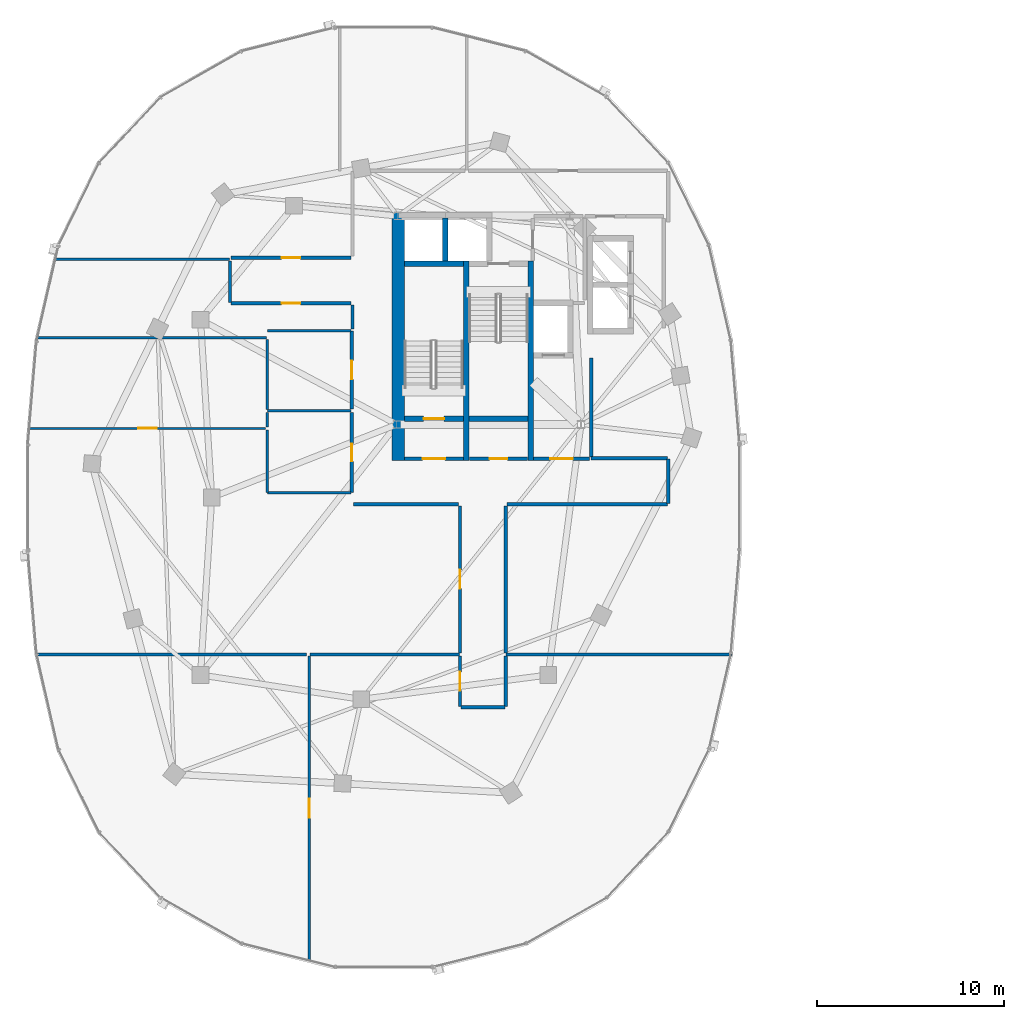
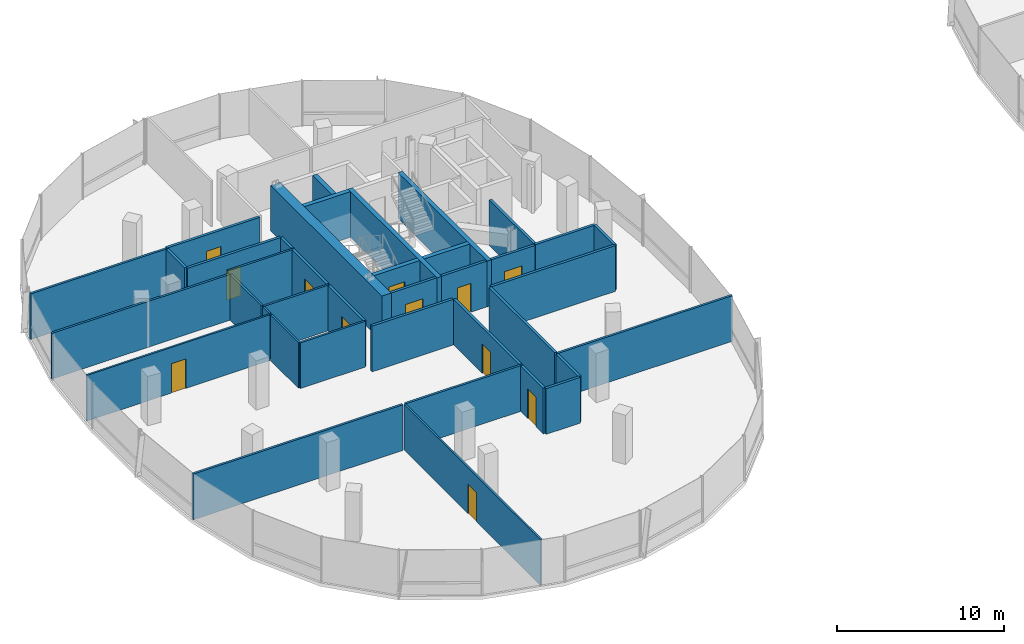
# One storey, part 15 of 25: 39 walls, 12 doors, 12 openings.
"""IFC4 building model written with IfcOpenShell, lengths in metres."""

from ifc_helpers import new_model, si_unit, direction, frame, frame_2d, origin, place, context, subcontext, project, spatial, rectangle, extrude, material, layer, layer_set, type_object, element, fill, save


model = new_model("IFC4")

# Units and contexts
model_context = context("Model", 3, precision=1e-05, world=origin(), true_north=direction((0.0, 1.0)))
body_context = subcontext(model_context, "Body", "Model", "MODEL_VIEW")
ifc_project = project(units=[si_unit("LENGTHUNIT", "METRE"), si_unit("AREAUNIT", "SQUARE_METRE"), si_unit("VOLUMEUNIT", "CUBIC_METRE"), si_unit("PLANEANGLEUNIT", "RADIAN"), si_unit("MASSUNIT", "GRAM", prefix="KILO"), si_unit("THERMODYNAMICTEMPERATUREUNIT", "KELVIN"), si_unit("POWERUNIT", "WATT")], contexts=[model_context])

# Site, building, storey
site_placement = place(None, origin())
site = spatial("IfcSite", under=ifc_project, at=site_placement, CompositionType="ELEMENT")
building_placement = place(site_placement, origin())
building = spatial("IfcBuilding", under=site, at=building_placement, Name="Cundina Bronze Exchange", CompositionType="ELEMENT")
storey_placement = place(building_placement, frame((0.0, 0.0, 206.199951171875)))
storey = spatial("IfcBuildingStorey", under=building, at=storey_placement, Name="L54", CompositionType="ELEMENT", Elevation=206.199951171875)

# Wall
ifc_material_1 = material(Name="Gypsum Fireboard Partition EI120")
ifc_layer_1 = layer(ifc_material_1, 0.179931640625, Name="Gypsum Fireboard Partition EI120")
ifc_layer_set_1 = layer_set([ifc_layer_1], Name="Gypsum Fireboard Partition EI120")
wall_type_1 = type_object("IfcWallType", Name="WL-COR-180", PredefinedType="PARTITIONING", material=ifc_layer_set_1)
wall_1_placement = place(storey_placement, frame((-20.889892578125, 2.14990234375, 0.0), z_axis=(0.0, 0.0, 1.0), x_axis=(0.0, 1.0, 0.0)))
element("IfcWall", 1, at=wall_1_placement, inside=storey, type_object=wall_type_1, Name="L54 W Firefighting Lobby Side Wall", PredefinedType="PARTITIONING", context=body_context, shape_type="SweptSolid", body=[
    extrude(rectangle(XDim=5.300048828125, YDim=0.179931640625, at=frame_2d((2.64990234375, 0.0))), origin(), (0.0, 0.0, 1.0), 3.340087890625),
])

# Wall, opening, door
wall_2_placement = place(storey_placement, frame((-23.97998046875, 2.06005859375, 0.0), z_axis=(0.0, 0.0, 1.0), x_axis=(1.0, 0.0, 0.0)))
wall_2 = element("IfcWall", 2, at=wall_2_placement, inside=storey, type_object=wall_type_1, Name="L54 W Firefighting Lobby Exit Wall", PredefinedType="PARTITIONING", context=body_context, shape_type="SweptSolid", body=[
    extrude(rectangle(XDim=3.0, YDim=0.179931640625, at=frame_2d((1.5, 0.0))), origin(), (0.0, 0.0, 1.0), 3.340087890625),
])
opening_1_placement = place(wall_2_placement, frame((0.89990234375, 0.0, 0.0)))
opening_1 = element("IfcOpeningElement", 3, at=opening_1_placement, cuts=wall_2, Name="Opening DF-01", PredefinedType="OPENING", context=body_context, shape_type="SweptSolid", body=[
    extrude(rectangle(XDim=1.199951171875, YDim=2.14990234375, at=frame_2d((0.60009765625, 1.074951171875))), frame((0.0, 0.099853515625, 0.0), z_axis=(0.0, -1.0, 0.0), x_axis=(1.0, 0.0, 0.0)), (0.0, 0.0, 1.0), 0.199951171875),
])
ifc_material_2 = material(Name="Steel ASTM A36 Painted", Category="steel")
door_type_1 = type_object("IfcDoorType", Name="DR-FFL-1200", OperationType="NOTDEFINED", PredefinedType="DOOR", material=ifc_material_2)
door_1_placement = place(opening_1_placement, origin())
door_1 = element("IfcDoor", 4, at=door_1_placement, inside=storey, type_object=door_type_1, Name="L54 W Firefighting Lobby Door", OperationType="SINGLE_SWING_RIGHT", OverallHeight=2.14990234375, OverallWidth=1.199951171875, PredefinedType="DOOR", context=body_context, shape_type="SweptSolid", body=[
    extrude(rectangle(XDim=1.199951171875, YDim=2.14990234375, at=frame_2d((0.60009765625, 1.074951171875))), frame((0.0, 0.02490234375, 0.0), z_axis=(0.0, -1.0, 0.0), x_axis=(1.0, 0.0, 0.0)), (0.0, 0.0, 1.0), 0.050048828125),
])
fill(opening_1, door_1)

wall_3_placement = place(storey_placement, frame((-30.89990234375, 2.06005859375, 0.0), z_axis=(0.0, 0.0, 1.0), x_axis=(1.0, 0.0, 0.0)))
wall_3 = element("IfcWall", 5, at=wall_3_placement, inside=storey, type_object=wall_type_1, Name="L54 W Stair Vestibule Exit Wall", PredefinedType="PARTITIONING", context=body_context, shape_type="SweptSolid", body=[
    extrude(rectangle(XDim=3.159912109375, YDim=0.179931640625, at=frame_2d((1.580078125, 0.0))), origin(), (0.0, 0.0, 1.0), 3.340087890625),
])
opening_2_placement = place(wall_3_placement, frame((0.97998046875, 0.0, 0.0)))
opening_2 = element("IfcOpeningElement", 6, at=opening_2_placement, cuts=wall_3, Name="Opening DF-01", PredefinedType="OPENING", context=body_context, shape_type="SweptSolid", body=[
    extrude(rectangle(XDim=1.199951171875, YDim=2.14990234375, at=frame_2d((0.60009765625, 1.074951171875))), frame((0.0, 0.099853515625, 0.0), z_axis=(0.0, -1.0, 0.0), x_axis=(1.0, 0.0, 0.0)), (0.0, 0.0, 1.0), 0.199951171875),
])
door_2_placement = place(opening_2_placement, origin())
door_2 = element("IfcDoor", 7, at=door_2_placement, inside=storey, type_object=door_type_1, Name="L54 W Stair Vestibule Door", OperationType="SINGLE_SWING_LEFT", OverallHeight=2.14990234375, OverallWidth=1.199951171875, PredefinedType="DOOR", context=body_context, shape_type="SweptSolid", body=[
    extrude(rectangle(XDim=1.199951171875, YDim=2.14990234375, at=frame_2d((0.60009765625, 1.074951171875))), frame((0.0, 0.02490234375, 0.0), z_axis=(0.0, -1.0, 0.0), x_axis=(1.0, 0.0, 0.0)), (0.0, 0.0, 1.0), 0.050048828125),
])
fill(opening_2, door_2)

wall_4_placement = place(storey_placement, frame((-27.419921875, 2.070068359375, 0.0), z_axis=(0.0, 0.0, 1.0), x_axis=(1.0, 0.0, 0.0)))
wall_4 = element("IfcWall", 8, at=wall_4_placement, inside=storey, type_object=wall_type_1, Name="L54 Interior Partition 007", PredefinedType="PARTITIONING", context=body_context, shape_type="SweptSolid", body=[
    extrude(rectangle(XDim=3.119873046875, YDim=0.179931640625, at=frame_2d((1.56005859375, 0.0))), origin(), (0.0, 0.0, 1.0), 3.340087890625),
])
opening_3_placement = place(wall_4_placement, frame((1.0849609375, 0.0, 0.0)))
opening_3 = element("IfcOpeningElement", 9, at=opening_3_placement, cuts=wall_4, Name="Opening DW-01", PredefinedType="OPENING", context=body_context, shape_type="SweptSolid", body=[
    extrude(rectangle(XDim=0.949951171875, YDim=2.10009765625, at=frame_2d((0.47509765625, 1.050048828125))), frame((0.0, 0.099853515625, 0.0), z_axis=(0.0, -1.0, 0.0), x_axis=(1.0, 0.0, 0.0)), (0.0, 0.0, 1.0), 0.199951171875),
])
ifc_material_3 = material(Name="Solid Andean Oak Timber Grade A", Category="wood")
door_type_2 = type_object("IfcDoorType", Name="DR-WC-950", OperationType="NOTDEFINED", PredefinedType="DOOR", material=ifc_material_3)
door_3_placement = place(opening_3_placement, origin())
door_3 = element("IfcDoor", 10, at=door_3_placement, inside=storey, type_object=door_type_2, Name="L54 Interior Door 007", OperationType="SINGLE_SWING_LEFT", OverallHeight=2.10009765625, OverallWidth=0.949951171875, PredefinedType="DOOR", context=body_context, shape_type="SweptSolid", body=[
    extrude(rectangle(XDim=0.949951171875, YDim=2.10009765625, at=frame_2d((0.47509765625, 1.050048828125))), frame((0.0, 0.02490234375, 0.0), z_axis=(0.0, -1.0, 0.0), x_axis=(1.0, 0.0, 0.0)), (0.0, 0.0, 1.0), 0.050048828125),
])
fill(opening_3, door_3)

wall_5_placement = place(storey_placement, frame((-33.719970703125, 0.27001953125, 0.0), z_axis=(0.0, 0.0, 1.0), x_axis=(0.0, 1.0, 0.0)))
wall_5 = element("IfcWall", 11, at=wall_5_placement, inside=storey, type_object=wall_type_1, Name="L54 Interior Partition 015", PredefinedType="PARTITIONING", context=body_context, shape_type="SweptSolid", body=[
    extrude(rectangle(XDim=4.260009765625, YDim=0.179931640625, at=frame_2d((2.1298828125, 0.0))), origin(), (0.0, 0.0, 1.0), 3.340087890625),
])
opening_4_placement = place(wall_5_placement, frame((1.655029296875, 0.0, 0.0)))
opening_4 = element("IfcOpeningElement", 12, at=opening_4_placement, cuts=wall_5, Name="Opening DW-01", PredefinedType="OPENING", context=body_context, shape_type="SweptSolid", body=[
    extrude(rectangle(XDim=0.949951171875, YDim=2.10009765625, at=frame_2d((0.47509765625, 1.050048828125))), frame((0.0, 0.099853515625, 0.0), z_axis=(0.0, -1.0, 0.0), x_axis=(1.0, 0.0, 0.0)), (0.0, 0.0, 1.0), 0.199951171875),
])
door_4_placement = place(opening_4_placement, origin())
door_4 = element("IfcDoor", 13, at=door_4_placement, inside=storey, type_object=door_type_2, Name="L54 Interior Door 015", OperationType="SINGLE_SWING_LEFT", OverallHeight=2.10009765625, OverallWidth=0.949951171875, PredefinedType="DOOR", context=body_context, shape_type="SweptSolid", body=[
    extrude(rectangle(XDim=0.949951171875, YDim=2.10009765625, at=frame_2d((0.47509765625, 1.050048828125))), frame((0.0, 0.02490234375, 0.0), z_axis=(0.0, -1.0, 0.0), x_axis=(1.0, 0.0, 0.0)), (0.0, 0.0, 1.0), 0.050048828125),
])
fill(opening_4, door_4)

wall_6_placement = place(storey_placement, frame((-33.719970703125, 4.72998046875, 0.0), z_axis=(0.0, 0.0, 1.0), x_axis=(0.0, 1.0, 0.0)))
wall_6 = element("IfcWall", 14, at=wall_6_placement, inside=storey, type_object=wall_type_1, Name="L54 Interior Partition 016", PredefinedType="PARTITIONING", context=body_context, shape_type="SweptSolid", body=[
    extrude(rectangle(XDim=4.159912109375, YDim=0.179931640625, at=frame_2d((2.080078125, 0.0))), origin(), (0.0, 0.0, 1.0), 3.340087890625),
])
opening_5_placement = place(wall_6_placement, frame((1.580078125, 0.0, 0.0)))
opening_5 = element("IfcOpeningElement", 15, at=opening_5_placement, cuts=wall_6, Name="Opening DO-01", PredefinedType="OPENING", context=body_context, shape_type="SweptSolid", body=[
    extrude(rectangle(XDim=1.0, YDim=2.14990234375, at=frame_2d((0.5, 1.074951171875))), frame((0.0, 0.099853515625, 0.0), z_axis=(0.0, -1.0, 0.0), x_axis=(1.0, 0.0, 0.0)), (0.0, 0.0, 1.0), 0.199951171875),
])
door_type_3 = type_object("IfcDoorType", Name="DR-OFF-1000", OperationType="NOTDEFINED", PredefinedType="DOOR", material=ifc_material_3)
door_5_placement = place(opening_5_placement, origin())
door_5 = element("IfcDoor", 16, at=door_5_placement, inside=storey, type_object=door_type_3, Name="L54 Interior Door 016", OperationType="SINGLE_SWING_LEFT", OverallHeight=2.14990234375, OverallWidth=1.0, PredefinedType="DOOR", context=body_context, shape_type="SweptSolid", body=[
    extrude(rectangle(XDim=1.0, YDim=2.14990234375, at=frame_2d((0.5, 1.074951171875))), frame((0.0, 0.02490234375, 0.0), z_axis=(0.0, -1.0, 0.0), x_axis=(1.0, 0.0, 0.0)), (0.0, 0.0, 1.0), 0.050048828125),
])
fill(opening_5, door_5)

wall_7_placement = place(storey_placement, frame((-27.919921875, -8.489990234375, 0.0), z_axis=(0.0, 0.0, 1.0), x_axis=(0.0, -1.0, 0.0)))
wall_7 = element("IfcWall", 17, at=wall_7_placement, inside=storey, type_object=wall_type_1, Name="L54 Interior Partition 024", PredefinedType="PARTITIONING", context=body_context, shape_type="SweptSolid", body=[
    extrude(rectangle(XDim=2.6884765625, YDim=0.179931640625, at=frame_2d((1.34423828125, 0.0))), origin(), (0.0, 0.0, 1.0), 3.340087890625),
])
opening_6_placement = place(wall_7_placement, frame((0.84423828125, 0.0, 0.0)))
opening_6 = element("IfcOpeningElement", 18, at=opening_6_placement, cuts=wall_7, Name="Opening DO-01", PredefinedType="OPENING", context=body_context, shape_type="SweptSolid", body=[
    extrude(rectangle(XDim=1.0, YDim=2.14990234375, at=frame_2d((0.5, 1.074951171875))), frame((0.0, 0.099853515625, 0.0), z_axis=(0.0, -1.0, 0.0), x_axis=(1.0, 0.0, 0.0)), (0.0, 0.0, 1.0), 0.199951171875),
])
door_6_placement = place(opening_6_placement, origin())
door_6 = element("IfcDoor", 19, at=door_6_placement, inside=storey, type_object=door_type_3, Name="L54 Interior Door 024", OperationType="SINGLE_SWING_LEFT", OverallHeight=2.14990234375, OverallWidth=1.0, PredefinedType="DOOR", context=body_context, shape_type="SweptSolid", body=[
    extrude(rectangle(XDim=1.0, YDim=2.14990234375, at=frame_2d((0.5, 1.074951171875))), frame((0.0, 0.02490234375, 0.0), z_axis=(0.0, -1.0, 0.0), x_axis=(1.0, 0.0, 0.0)), (0.0, 0.0, 1.0), 0.050048828125),
])
fill(opening_6, door_6)

# Walls
wall_8_placement = place(storey_placement, frame((-25.47998046875, -11.178466796875, 0.0), z_axis=(0.0, 0.0, 1.0), x_axis=(0.0, 1.0, 0.0)))
element("IfcWall", 20, at=wall_8_placement, inside=storey, type_object=wall_type_1, Name="L54 Interior Partition 025", PredefinedType="PARTITIONING", context=body_context, shape_type="SweptSolid", body=[
    extrude(rectangle(XDim=2.6884765625, YDim=0.179931640625, at=frame_2d((1.34423828125, 0.0))), origin(), (0.0, 0.0, 1.0), 3.340087890625),
])
wall_9_placement = place(storey_placement, frame((-27.87841796875, -11.219970703125, 0.0), z_axis=(0.0, 0.0, 1.0), x_axis=(1.0, 0.0, 0.0)))
element("IfcWall", 21, at=wall_9_placement, inside=storey, type_object=wall_type_1, Name="L54 Interior Partition 026", PredefinedType="PARTITIONING", context=body_context, shape_type="SweptSolid", body=[
    extrude(rectangle(XDim=2.35693359375, YDim=0.179931640625, at=frame_2d((1.178466796875, 0.0))), origin(), (0.0, 0.0, 1.0), 3.340087890625),
])

# Wall, opening, door
wall_10_placement = place(storey_placement, frame((-27.919921875, -0.449951171875, 0.0), z_axis=(0.0, 0.0, 1.0), x_axis=(0.0, -1.0, 0.0)))
wall_10 = element("IfcWall", 22, at=wall_10_placement, inside=storey, type_object=wall_type_1, Name="L54 Interior Partition 027", PredefinedType="PARTITIONING", context=body_context, shape_type="SweptSolid", body=[
    extrude(rectangle(XDim=7.860107421875, YDim=0.179931640625, at=frame_2d((3.93017578125, 0.0))), origin(), (0.0, 0.0, 1.0), 3.340087890625),
])
opening_7_placement = place(wall_10_placement, frame((3.429931640625, 0.0, 0.0)))
opening_7 = element("IfcOpeningElement", 23, at=opening_7_placement, cuts=wall_10, Name="Opening DO-01", PredefinedType="OPENING", context=body_context, shape_type="SweptSolid", body=[
    extrude(rectangle(XDim=1.0, YDim=2.14990234375, at=frame_2d((0.5, 1.074951171875))), frame((0.0, 0.099853515625, 0.0), z_axis=(0.0, -1.0, 0.0), x_axis=(1.0, 0.0, 0.0)), (0.0, 0.0, 1.0), 0.199951171875),
])
door_7_placement = place(opening_7_placement, origin())
door_7 = element("IfcDoor", 24, at=door_7_placement, inside=storey, type_object=door_type_3, Name="L54 Interior Door 027", OperationType="SINGLE_SWING_RIGHT", OverallHeight=2.14990234375, OverallWidth=1.0, PredefinedType="DOOR", context=body_context, shape_type="SweptSolid", body=[
    extrude(rectangle(XDim=1.0, YDim=2.14990234375, at=frame_2d((0.5, 1.074951171875))), frame((0.0, 0.02490234375, 0.0), z_axis=(0.0, -1.0, 0.0), x_axis=(1.0, 0.0, 0.0)), (0.0, 0.0, 1.0), 0.050048828125),
])
fill(opening_7, door_7)

# Walls
wall_11_placement = place(storey_placement, frame((-33.62841796875, -0.3701171875, 0.0), z_axis=(0.0, 0.0, 1.0), x_axis=(1.0, 0.0, 0.0)))
element("IfcWall", 25, at=wall_11_placement, inside=storey, type_object=wall_type_1, Name="L54 Interior Partition 028", PredefinedType="PARTITIONING", context=body_context, shape_type="SweptSolid", body=[
    extrude(rectangle(XDim=5.62841796875, YDim=0.179931640625, at=frame_2d((2.814208984375, 0.0))), origin(), (0.0, 0.0, 1.0), 3.340087890625),
])
wall_12_placement = place(storey_placement, frame((-25.39990234375, -0.3701171875, 0.0), z_axis=(0.0, 0.0, 1.0), x_axis=(1.0, 0.0, 0.0)))
element("IfcWall", 26, at=wall_12_placement, inside=storey, type_object=wall_type_1, Name="L54 Interior Partition 030", PredefinedType="PARTITIONING", context=body_context, shape_type="SweptSolid", body=[
    extrude(rectangle(XDim=8.578369140625, YDim=0.179931640625, at=frame_2d((4.2890625, 0.0))), origin(), (0.0, 0.0, 1.0), 3.340087890625),
])
wall_13_placement = place(storey_placement, frame((-25.47998046875, -8.31005859375, 0.0), z_axis=(0.0, 0.0, 1.0), x_axis=(0.0, 1.0, 0.0)))
element("IfcWall", 27, at=wall_13_placement, inside=storey, type_object=wall_type_1, Name="L54 Interior Partition 031", PredefinedType="PARTITIONING", context=body_context, shape_type="SweptSolid", body=[
    extrude(rectangle(XDim=7.860107421875, YDim=0.179931640625, at=frame_2d((3.93017578125, 0.0))), origin(), (0.0, 0.0, 1.0), 3.340087890625),
])
wall_14_placement = place(storey_placement, frame((-16.821533203125, 2.10009765625, 0.0), z_axis=(0.0, 0.0, 1.0), x_axis=(-1.0, 0.0, 0.0)))
element("IfcWall", 28, at=wall_14_placement, inside=storey, type_object=wall_type_1, Name="L54 Interior Partition 032", PredefinedType="PARTITIONING", context=body_context, shape_type="SweptSolid", body=[
    extrude(rectangle(XDim=4.098388671875, YDim=0.179931640625, at=frame_2d((2.04931640625, 0.0))), origin(), (0.0, 0.0, 1.0), 3.340087890625),
])
wall_15_placement = place(storey_placement, frame((-16.780029296875, -0.32861328125, 0.0), z_axis=(0.0, 0.0, 1.0), x_axis=(0.0, 1.0, 0.0)))
element("IfcWall", 29, at=wall_15_placement, inside=storey, type_object=wall_type_1, Name="L54 Interior Partition 034", PredefinedType="PARTITIONING", context=body_context, shape_type="SweptSolid", body=[
    extrude(rectangle(XDim=2.38720703125, YDim=0.179931640625, at=frame_2d((1.193603515625, 0.0))), origin(), (0.0, 0.0, 1.0), 3.340087890625),
])

# Wall, opening, door
wall_16_placement = place(storey_placement, frame((-40.178466796875, 10.3798828125, 0.0), z_axis=(0.0, 0.0, 1.0), x_axis=(1.0, 0.0, 0.0)))
wall_16 = element("IfcWall", 30, at=wall_16_placement, inside=storey, type_object=wall_type_1, Name="L54 Interior Partition 035", PredefinedType="PARTITIONING", context=body_context, shape_type="SweptSolid", body=[
    extrude(rectangle(XDim=6.428466796875, YDim=0.179931640625, at=frame_2d((3.21435546875, 0.0))), origin(), (0.0, 0.0, 1.0), 3.340087890625),
])
opening_8_placement = place(wall_16_placement, frame((2.714111328125, 0.0, 0.0)))
opening_8 = element("IfcOpeningElement", 31, at=opening_8_placement, cuts=wall_16, Name="Opening DO-01", PredefinedType="OPENING", context=body_context, shape_type="SweptSolid", body=[
    extrude(rectangle(XDim=1.0, YDim=2.14990234375, at=frame_2d((0.5, 1.074951171875))), frame((0.0, 0.099853515625, 0.0), z_axis=(0.0, -1.0, 0.0), x_axis=(1.0, 0.0, 0.0)), (0.0, 0.0, 1.0), 0.199951171875),
])
door_8_placement = place(opening_8_placement, origin())
door_8 = element("IfcDoor", 32, at=door_8_placement, inside=storey, type_object=door_type_3, Name="L54 Interior Door 035", OperationType="SINGLE_SWING_RIGHT", OverallHeight=2.14990234375, OverallWidth=1.0, PredefinedType="DOOR", context=body_context, shape_type="SweptSolid", body=[
    extrude(rectangle(XDim=1.0, YDim=2.14990234375, at=frame_2d((0.5, 1.074951171875))), frame((0.0, 0.02490234375, 0.0), z_axis=(0.0, -1.0, 0.0), x_axis=(1.0, 0.0, 0.0)), (0.0, 0.0, 1.0), 0.050048828125),
])
fill(opening_8, door_8)

# Walls
wall_17_placement = place(storey_placement, frame((-40.219970703125, 12.64990234375, 0.0), z_axis=(0.0, 0.0, 1.0), x_axis=(0.0, -1.0, 0.0)))
element("IfcWall", 33, at=wall_17_placement, inside=storey, type_object=wall_type_1, Name="L54 Interior Partition 036", PredefinedType="PARTITIONING", context=body_context, shape_type="SweptSolid", body=[
    extrude(rectangle(XDim=2.228515625, YDim=0.179931640625, at=frame_2d((1.1142578125, 0.0))), origin(), (0.0, 0.0, 1.0), 3.340087890625),
])
wall_18_placement = place(storey_placement, frame((-33.669921875, 10.300048828125, 0.0), z_axis=(0.0, 0.0, 1.0), x_axis=(0.0, -1.0, 0.0)))
element("IfcWall", 34, at=wall_18_placement, inside=storey, type_object=wall_type_1, Name="L54 Interior Partition 037", PredefinedType="PARTITIONING", context=body_context, shape_type="SweptSolid", body=[
    extrude(rectangle(XDim=1.298583984375, YDim=0.179931640625, at=frame_2d((0.6494140625, 0.0))), origin(), (0.0, 0.0, 1.0), 3.340087890625),
])

# Wall, opening, door
wall_19_placement = place(storey_placement, frame((-33.75, 12.820068359375, 0.0), z_axis=(0.0, 0.0, 1.0), x_axis=(-1.0, 0.0, 0.0)))
wall_19 = element("IfcWall", 35, at=wall_19_placement, inside=storey, type_object=wall_type_1, Name="L54 Interior Partition 038", PredefinedType="PARTITIONING", context=body_context, shape_type="SweptSolid", body=[
    extrude(rectangle(XDim=6.428466796875, YDim=0.179931640625, at=frame_2d((3.21435546875, 0.0))), origin(), (0.0, 0.0, 1.0), 3.340087890625),
])
opening_9_placement = place(wall_19_placement, frame((2.714111328125, 0.0, 0.0)))
opening_9 = element("IfcOpeningElement", 36, at=opening_9_placement, cuts=wall_19, Name="Opening DO-01", PredefinedType="OPENING", context=body_context, shape_type="SweptSolid", body=[
    extrude(rectangle(XDim=1.0, YDim=2.14990234375, at=frame_2d((0.5, 1.074951171875))), frame((0.0, 0.099853515625, 0.0), z_axis=(0.0, -1.0, 0.0), x_axis=(1.0, 0.0, 0.0)), (0.0, 0.0, 1.0), 0.199951171875),
])
door_9_placement = place(opening_9_placement, origin())
door_9 = element("IfcDoor", 37, at=door_9_placement, inside=storey, type_object=door_type_3, Name="L54 Interior Door 038", OperationType="SINGLE_SWING_LEFT", OverallHeight=2.14990234375, OverallWidth=1.0, PredefinedType="DOOR", context=body_context, shape_type="SweptSolid", body=[
    extrude(rectangle(XDim=1.0, YDim=2.14990234375, at=frame_2d((0.5, 1.074951171875))), frame((0.0, 0.02490234375, 0.0), z_axis=(0.0, -1.0, 0.0), x_axis=(1.0, 0.0, 0.0)), (0.0, 0.0, 1.0), 0.050048828125),
])
fill(opening_9, door_9)

# Wall
ifc_material_4 = material(Name="Concrete C50/60", Category="concrete")
ifc_layer_2 = layer(ifc_material_4, 0.64990234375, Name="Concrete C50/60", Category="concrete")
ifc_layer_set_2 = layer_set([ifc_layer_2], Name="Concrete C50/60")
wall_type_2 = type_object("IfcWallType", Name="WL-CORE-650", PredefinedType="SHEAR", material=ifc_layer_set_2)
wall_20_placement = place(storey_placement, frame((-31.22509765625, 1.969970703125, 0.0), z_axis=(0.0, 0.0, 1.0), x_axis=(0.0, 1.0, 0.0)))
element("IfcWall", 38, at=wall_20_placement, inside=storey, type_object=wall_type_2, Name="L54 W Primary Core Shear Spine Wall", PredefinedType="SHEAR", context=body_context, shape_type="SweptSolid", body=[
    extrude(rectangle(XDim=13.330078125, YDim=0.64990234375, at=frame_2d((6.6650390625, 0.0))), origin(), (0.0, 0.0, 1.0), 3.340087890625),
])

# Wall, opening, door
ifc_material_5 = material(Name="Gypsum Acoustic Partition EI60")
ifc_layer_3 = layer(ifc_material_5, 0.125, Name="Gypsum Acoustic Partition EI60")
ifc_layer_set_3 = layer_set([ifc_layer_3], Name="Gypsum Acoustic Partition EI60")
wall_type_3 = type_object("IfcWallType", Name="WL-OFF-125", PredefinedType="PARTITIONING", material=ifc_layer_set_3)
wall_21_placement = place(storey_placement, frame((-35.989990234375, -8.489990234375, 0.0), z_axis=(0.0, 0.0, 1.0), x_axis=(0.0, -1.0, 0.0)))
wall_21 = element("IfcWall", 39, at=wall_21_placement, inside=storey, type_object=wall_type_3, Name="L54 Interior Partition 041", PredefinedType="PARTITIONING", context=body_context, shape_type="SweptSolid", body=[
    extrude(rectangle(XDim=16.274658203125, YDim=0.125, at=frame_2d((8.13720703125, 0.0))), origin(), (0.0, 0.0, 1.0), 3.340087890625),
])
opening_10_placement = place(wall_21_placement, frame((7.63720703125, 0.0, 0.0)))
opening_10 = element("IfcOpeningElement", 40, at=opening_10_placement, cuts=wall_21, Name="Opening DO-01", PredefinedType="OPENING", context=body_context, shape_type="SweptSolid", body=[
    extrude(rectangle(XDim=1.0, YDim=2.14990234375, at=frame_2d((0.5, 1.074951171875))), frame((0.0, 0.072509765625, 0.0), z_axis=(0.0, -1.0, 0.0), x_axis=(1.0, 0.0, 0.0)), (0.0, 0.0, 1.0), 0.14501953125),
])
door_10_placement = place(opening_10_placement, origin())
door_10 = element("IfcDoor", 41, at=door_10_placement, inside=storey, type_object=door_type_3, Name="L54 Interior Door 041", OperationType="SINGLE_SWING_LEFT", OverallHeight=2.14990234375, OverallWidth=1.0, PredefinedType="DOOR", context=body_context, shape_type="SweptSolid", body=[
    extrude(rectangle(XDim=1.0, YDim=2.14990234375, at=frame_2d((0.5, 1.074951171875))), frame((0.0, 0.02490234375, 0.0), z_axis=(0.0, -1.0, 0.0), x_axis=(1.0, 0.0, 0.0)), (0.0, 0.0, 1.0), 0.050048828125),
])
fill(opening_10, door_10)

wall_22_placement = place(storey_placement, frame((-38.320068359375, 3.68994140625, 0.0), z_axis=(0.0, 0.0, 1.0), x_axis=(-1.0, 0.0, 0.0)))
wall_22 = element("IfcWall", 42, at=wall_22_placement, inside=storey, type_object=wall_type_3, Name="L54 Interior Partition 042", PredefinedType="PARTITIONING", context=body_context, shape_type="SweptSolid", body=[
    extrude(rectangle(XDim=12.6474609375, YDim=0.125, at=frame_2d((6.32373046875, 0.0))), origin(), (0.0, 0.0, 1.0), 3.340087890625),
])
opening_11_placement = place(wall_22_placement, frame((5.82373046875, 0.0, 0.0)))
opening_11 = element("IfcOpeningElement", 43, at=opening_11_placement, cuts=wall_22, Name="Opening DO-01", PredefinedType="OPENING", context=body_context, shape_type="SweptSolid", body=[
    extrude(rectangle(XDim=1.0, YDim=2.14990234375, at=frame_2d((0.5, 1.074951171875))), frame((0.0, 0.072509765625, 0.0), z_axis=(0.0, -1.0, 0.0), x_axis=(1.0, 0.0, 0.0)), (0.0, 0.0, 1.0), 0.14501953125),
])
door_11_placement = place(opening_11_placement, origin())
door_11 = element("IfcDoor", 44, at=door_11_placement, inside=storey, type_object=door_type_3, Name="L54 Interior Door 042", OperationType="SINGLE_SWING_RIGHT", OverallHeight=2.14990234375, OverallWidth=1.0, PredefinedType="DOOR", context=body_context, shape_type="SweptSolid", body=[
    extrude(rectangle(XDim=1.0, YDim=2.14990234375, at=frame_2d((0.5, 1.074951171875))), frame((0.0, 0.02490234375, 0.0), z_axis=(0.0, -1.0, 0.0), x_axis=(1.0, 0.0, 0.0)), (0.0, 0.0, 1.0), 0.050048828125),
])
fill(opening_11, door_11)

# Walls
ifc_layer_4 = layer(ifc_material_4, 0.300048828125, Name="Concrete C50/60", Category="concrete")
ifc_layer_set_4 = layer_set([ifc_layer_4], Name="Concrete C50/60")
wall_type_4 = type_object("IfcWallType", Name="WL-SHFT-300", PredefinedType="SHEAR", material=ifc_layer_set_4)
for number, where, z_axis, x_axis, name in (
    (45, (-27.590087890625, 1.969970703125, 0.0), (0.0, 0.0, 1.0), (0.0, 1.0, 0.0), "L54 W Stair Shaft Dividing Shear Wall"),
    (46, (-24.1298828125, 1.969970703125, 0.0), (0.0, 0.0, 1.0), (0.0, 1.0, 0.0), "L54 W Stair 2 East Shear Wall"),
):
    element("IfcWall", number, at=place(storey_placement, frame(where, z_axis=z_axis, x_axis=x_axis)), inside=storey, type_object=wall_type_4, Name=name, PredefinedType="SHEAR", context=body_context, shape_type="SweptSolid", body=[
        extrude(rectangle(XDim=10.679931640625, YDim=0.300048828125, at=frame_2d((5.33984375, 0.0))), origin(), (0.0, 0.0, 1.0), 3.340087890625),
    ])

# Wall, opening, door
wall_23_placement = place(storey_placement, frame((-30.89990234375, 4.199951171875, 0.0), z_axis=(0.0, 0.0, 1.0), x_axis=(1.0, 0.0, 0.0)))
wall_23 = element("IfcWall", 47, at=wall_23_placement, inside=storey, type_object=wall_type_4, Name="L54 Stair W1 Landing Wall", PredefinedType="SHEAR", context=body_context, shape_type="SweptSolid", body=[
    extrude(rectangle(XDim=3.159912109375, YDim=0.300048828125, at=frame_2d((1.580078125, 0.0))), origin(), (0.0, 0.0, 1.0), 3.340087890625),
])
opening_12_placement = place(wall_23_placement, frame((1.030029296875, 0.0, 0.0)))
opening_12 = element("IfcOpeningElement", 48, at=opening_12_placement, cuts=wall_23, Name="Opening DS-01", PredefinedType="OPENING", context=body_context, shape_type="SweptSolid", body=[
    extrude(rectangle(XDim=1.10009765625, YDim=2.14990234375, at=frame_2d((0.550048828125, 1.074951171875))), frame((0.0, 0.159912109375, 0.0), z_axis=(0.0, -1.0, 0.0), x_axis=(1.0, 0.0, 0.0)), (0.0, 0.0, 1.0), 0.320068359375),
])
door_type_4 = type_object("IfcDoorType", Name="DR-STR-1100", OperationType="NOTDEFINED", PredefinedType="DOOR", material=ifc_material_2)
door_12_placement = place(opening_12_placement, origin())
door_12 = element("IfcDoor", 49, at=door_12_placement, inside=storey, type_object=door_type_4, Name="L54 Smokeproof Stair W1 Door", OperationType="SINGLE_SWING_RIGHT", OverallHeight=2.14990234375, OverallWidth=1.10009765625, PredefinedType="DOOR", context=body_context, shape_type="SweptSolid", body=[
    extrude(rectangle(XDim=1.10009765625, YDim=2.14990234375, at=frame_2d((0.550048828125, 1.074951171875))), frame((0.0, 0.02490234375, 0.0), z_axis=(0.0, -1.0, 0.0), x_axis=(1.0, 0.0, 0.0)), (0.0, 0.0, 1.0), 0.050048828125),
])
fill(opening_12, door_12)

# Walls
for number, where, z_axis, x_axis, name in (
    (50, (-30.89990234375, 12.5, 0.0), (0.0, 0.0, 1.0), (1.0, 0.0, 0.0), "L54 Stair W1 Far Shaft Wall"),
    (51, (-27.43994140625, 4.199951171875, 0.0), (0.0, 0.0, 1.0), (1.0, 0.0, 0.0), "L54 Stair W2 Far Shaft Wall"),
):
    element("IfcWall", number, at=place(storey_placement, frame(where, z_axis=z_axis, x_axis=x_axis)), inside=storey, type_object=wall_type_4, Name=name, PredefinedType="SHEAR", context=body_context, shape_type="SweptSolid", body=[
        extrude(rectangle(XDim=3.159912109375, YDim=0.300048828125, at=frame_2d((1.580078125, 0.0))), origin(), (0.0, 0.0, 1.0), 3.340087890625),
    ])
wall_24_placement = place(storey_placement, frame((-28.699951171875, 12.64990234375, 0.0), z_axis=(0.0, 0.0, 1.0), x_axis=(0.0, 1.0, 0.0)))
element("IfcWall", 52, at=wall_24_placement, inside=storey, type_object=wall_type_4, Name="L54 PH-W1 Hoistway Divider Wall", PredefinedType="SHEAR", context=body_context, shape_type="SweptSolid", body=[
    extrude(rectangle(XDim=2.300048828125, YDim=0.300048828125, at=frame_2d((1.14990234375, 0.0))), origin(), (0.0, 0.0, 1.0), 3.340087890625),
])
ifc_layer_5 = layer(ifc_material_5, 0.14990234375, Name="Gypsum Acoustic Partition EI60")
ifc_layer_set_5 = layer_set([ifc_layer_5], Name="Gypsum Acoustic Partition EI60")
wall_type_5 = type_object("IfcWallType", Name="WL-TEN-150", PredefinedType="PARTITIONING", material=ifc_layer_set_5)
wall_25_placement = place(storey_placement, frame((-50.629638671875, -8.39990234375, 0.0), z_axis=(0.0, 0.0, 1.0), x_axis=(1.0, 0.0, 0.0)))
element("IfcWall", 53, at=wall_25_placement, inside=storey, type_object=wall_type_5, Name="L54 Interior Partition 017", PredefinedType="PARTITIONING", context=body_context, shape_type="SweptSolid", body=[
    extrude(rectangle(XDim=14.504638671875, YDim=0.14990234375, at=frame_2d((7.25244140625, 0.0))), origin(), (0.0, 0.0, 1.0), 3.340087890625),
])
wall_26_placement = place(storey_placement, frame((-35.955078125, -8.39990234375, 0.0), z_axis=(0.0, 0.0, 1.0), x_axis=(1.0, 0.0, 0.0)))
element("IfcWall", 54, at=wall_26_placement, inside=storey, type_object=wall_type_5, Name="L54 Interior Partition 018", PredefinedType="PARTITIONING", context=body_context, shape_type="SweptSolid", body=[
    extrude(rectangle(XDim=8.005126953125, YDim=0.14990234375, at=frame_2d((4.00244140625, 0.0))), origin(), (0.0, 0.0, 1.0), 3.340087890625),
])
wall_27_placement = place(storey_placement, frame((-25.449951171875, -8.39990234375, 0.0), z_axis=(0.0, 0.0, 1.0), x_axis=(1.0, 0.0, 0.0)))
element("IfcWall", 55, at=wall_27_placement, inside=storey, type_object=wall_type_5, Name="L54 Interior Partition 019", PredefinedType="PARTITIONING", context=body_context, shape_type="SweptSolid", body=[
    extrude(rectangle(XDim=12.07958984375, YDim=0.14990234375, at=frame_2d((6.039794921875, 0.0))), origin(), (0.0, 0.0, 1.0), 3.340087890625),
])
wall_28_placement = place(storey_placement, frame((-50.59765625, 8.5400390625, 0.0), z_axis=(0.0, 0.0, 1.0), x_axis=(1.0, 0.0, 0.0)))
element("IfcWall", 56, at=wall_28_placement, inside=storey, type_object=wall_type_5, Name="L54 Interior Partition 020", PredefinedType="PARTITIONING", context=body_context, shape_type="SweptSolid", body=[
    extrude(rectangle(XDim=12.32763671875, YDim=0.14990234375, at=frame_2d((6.163818359375, 0.0))), origin(), (0.0, 0.0, 1.0), 3.340087890625),
])
wall_29_placement = place(storey_placement, frame((-49.635498046875, 12.739990234375, 0.0), z_axis=(0.0, 0.0, 1.0), x_axis=(1.0, 0.0, 0.0)))
element("IfcWall", 57, at=wall_29_placement, inside=storey, type_object=wall_type_5, Name="L54 Interior Partition 021", PredefinedType="PARTITIONING", context=body_context, shape_type="SweptSolid", body=[
    extrude(rectangle(XDim=9.385498046875, YDim=0.14990234375, at=frame_2d((4.69287109375, 0.0))), origin(), (0.0, 0.0, 1.0), 3.340087890625),
])
ifc_material_6 = material(Name="Moisture-Resistant Masonry Block Grade M15", Category="masonry")
ifc_layer_6 = layer(ifc_material_6, 0.139892578125, Name="Moisture-Resistant Masonry Block Grade M15", Category="masonry")
ifc_layer_set_6 = layer_set([ifc_layer_6], Name="Moisture-Resistant Masonry Block Grade M15")
wall_type_6 = type_object("IfcWallType", Name="WL-WET-140", PredefinedType="PARTITIONING", material=ifc_layer_set_6)
wall_30_placement = place(storey_placement, frame((-38.239990234375, 0.27001953125, 0.0), z_axis=(0.0, 0.0, 1.0), x_axis=(0.0, 1.0, 0.0)))
element("IfcWall", 58, at=wall_30_placement, inside=storey, type_object=wall_type_6, Name="L54 Interior Partition 009", PredefinedType="PARTITIONING", context=body_context, shape_type="SweptSolid", body=[
    extrude(rectangle(XDim=3.3349609375, YDim=0.139892578125, at=frame_2d((1.66748046875, 0.0))), origin(), (0.0, 0.0, 1.0), 3.340087890625),
])
wall_31_placement = place(storey_placement, frame((-38.239990234375, 3.77490234375, 0.0), z_axis=(0.0, 0.0, 1.0), x_axis=(0.0, 1.0, 0.0)))
element("IfcWall", 59, at=wall_31_placement, inside=storey, type_object=wall_type_6, Name="L54 Interior Partition 010", PredefinedType="PARTITIONING", context=body_context, shape_type="SweptSolid", body=[
    extrude(rectangle(XDim=0.77001953125, YDim=0.139892578125, at=frame_2d((0.385009765625, 0.0))), origin(), (0.0, 0.0, 1.0), 3.340087890625),
])
wall_32_placement = place(storey_placement, frame((-38.239990234375, 4.715087890625, 0.0), z_axis=(0.0, 0.0, 1.0), x_axis=(0.0, 1.0, 0.0)))
element("IfcWall", 60, at=wall_32_placement, inside=storey, type_object=wall_type_6, Name="L54 Interior Partition 011", PredefinedType="PARTITIONING", context=body_context, shape_type="SweptSolid", body=[
    extrude(rectangle(XDim=3.739990234375, YDim=0.139892578125, at=frame_2d((1.8701171875, 0.0))), origin(), (0.0, 0.0, 1.0), 3.340087890625),
])
for number, where, z_axis, x_axis, name in (
    (61, (-38.219970703125, 0.25, 0.0), (0.0, 0.0, 1.0), (1.0, 0.0, 0.0), "L54 Interior Partition 012"),
    (62, (-38.219970703125, 4.6298828125, 0.0), (0.0, 0.0, 1.0), (1.0, 0.0, 0.0), "L54 Interior Partition 013"),
    (63, (-38.219970703125, 8.909912109375, 0.0), (0.0, 0.0, 1.0), (1.0, 0.0, 0.0), "L54 Interior Partition 014"),
):
    element("IfcWall", number, at=place(storey_placement, frame(where, z_axis=z_axis, x_axis=x_axis)), inside=storey, type_object=wall_type_6, Name=name, PredefinedType="PARTITIONING", context=body_context, shape_type="SweptSolid", body=[
        extrude(rectangle(XDim=4.47998046875, YDim=0.139892578125, at=frame_2d((2.239990234375, 0.0))), origin(), (0.0, 0.0, 1.0), 3.340087890625),
    ])

save(model, "model.ifc")
